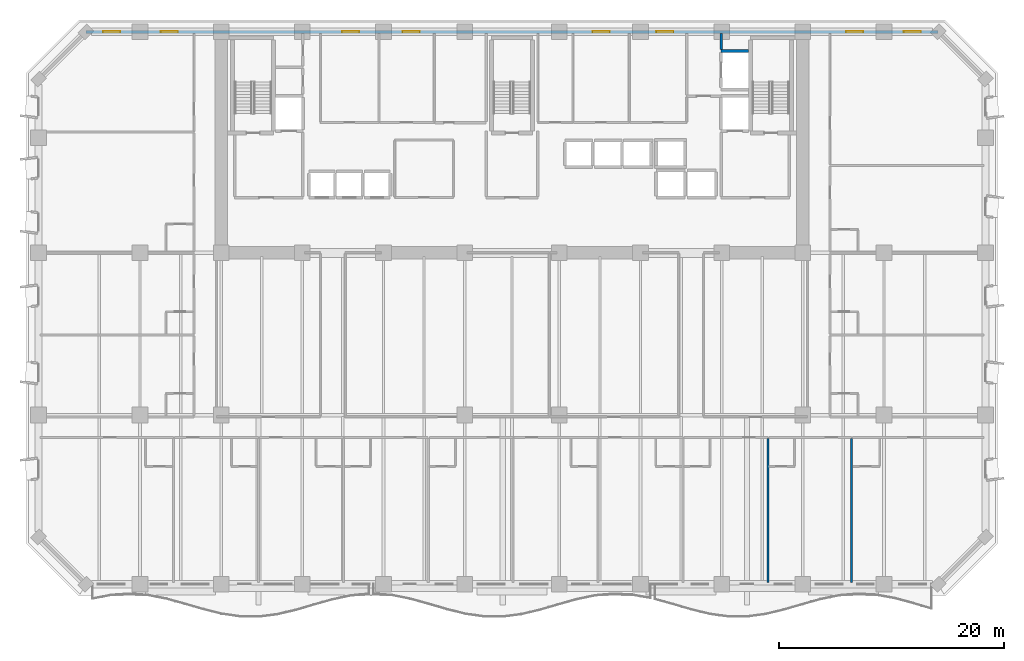
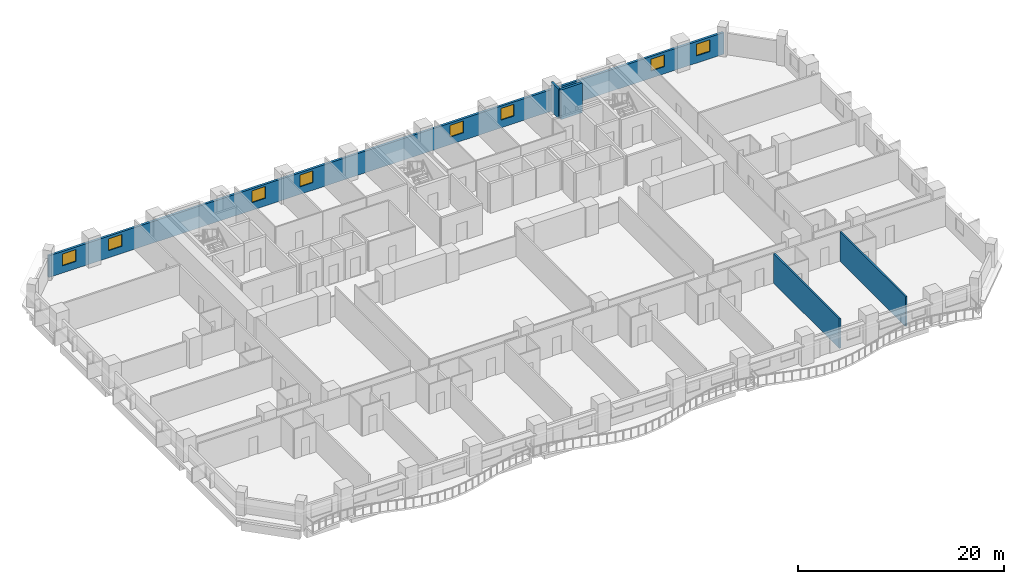
# One storey, part 9 of 15: 8 windows, 5 walls, 8 openings.
"""IFC4 building model written with IfcOpenShell, lengths in metres."""

from ifc_helpers import new_model, si_unit, direction, frame, frame_2d, origin, place, context, subcontext, project, spatial, rectangle, extrude, material, layer, layer_set, type_object, element, fill, save


model = new_model("IFC4")

# Units and contexts
model_context = context("Model", 3, precision=1e-05, world=origin(), true_north=direction((0.0, 1.0)))
body_context = subcontext(model_context, "Body", "Model", "MODEL_VIEW")
ifc_project = project(units=[si_unit("LENGTHUNIT", "METRE"), si_unit("AREAUNIT", "SQUARE_METRE"), si_unit("VOLUMEUNIT", "CUBIC_METRE"), si_unit("PLANEANGLEUNIT", "RADIAN"), si_unit("MASSUNIT", "GRAM", prefix="KILO")], contexts=[model_context])

# Site, building, storey
site_placement = place(None, origin())
site = spatial("IfcSite", under=ifc_project, at=site_placement, CompositionType="ELEMENT")
building_placement = place(site_placement, origin())
building = spatial("IfcBuilding", under=site, at=building_placement, Name="Kaelvorn Grand Hotel", CompositionType="ELEMENT")
storey_placement = place(building_placement, frame((0.0, 0.0, 61.39990234375)))
storey = spatial("IfcBuildingStorey", under=building, at=storey_placement, Name="L13", CompositionType="ELEMENT", Elevation=61.39990234375)

# Wall, openings, windows
ifc_material_1 = material(Name="Concrete C40/50", Category="concrete")
ifc_layer_1 = layer(ifc_material_1, 0.260009765625)
ifc_layer_set_1 = layer_set([ifc_layer_1], Name="Concrete C40/50")
wall_type_1 = type_object("IfcWallType", Name="WL-EXT-260-C40", PredefinedType="SOLIDWALL", material=ifc_layer_set_1)
wall_1_placement = place(storey_placement, frame((79.800048828125, 49.0, 0.0), z_axis=(0.0, 0.0, 1.0), x_axis=(-1.0, 0.0, 0.0)))
wall_1 = element("IfcWall", 1, at=wall_1_placement, inside=storey, type_object=wall_type_1, Name="L13 Exterior Architectural Concrete Wall 05", PredefinedType="SOLIDWALL", context=body_context, shape_type="SweptSolid", body=[
    extrude(rectangle(XDim=75.60009765625, YDim=0.260009765625, at=frame_2d((37.800048828125, 0.0))), origin(), (0.0, 0.0, 1.0), 2.56005859375),
])
opening_1_placement = place(wall_1_placement, frame((72.56494140625, 0.0, 0.85009765625)))
opening_1 = element("IfcOpeningElement", 2, at=opening_1_placement, cuts=wall_1, Name="Opening W10", PredefinedType="OPENING", context=body_context, shape_type="SweptSolid", body=[
    extrude(rectangle(XDim=1.5, YDim=1.39990234375, at=frame_2d((0.75, 0.699951171875))), frame((0.0, 0.14013671875, 0.0), z_axis=(0.0, -1.0, 0.0), x_axis=(1.0, 0.0, 0.0)), (0.0, 0.0, 1.0), 0.280029296875),
])
opening_2_placement = place(wall_1_placement, frame((67.449951171875, 0.0, 0.85009765625)))
opening_2 = element("IfcOpeningElement", 3, at=opening_2_placement, cuts=wall_1, Name="Opening W10", PredefinedType="OPENING", context=body_context, shape_type="SweptSolid", body=[
    extrude(rectangle(XDim=1.5, YDim=1.39990234375, at=frame_2d((0.75, 0.699951171875))), frame((0.0, 0.14013671875, 0.0), z_axis=(0.0, -1.0, 0.0), x_axis=(1.0, 0.0, 0.0)), (0.0, 0.0, 1.0), 0.280029296875),
])
opening_3_placement = place(wall_1_placement, frame((6.64990234375, 0.0, 0.85009765625)))
opening_3 = element("IfcOpeningElement", 4, at=opening_3_placement, cuts=wall_1, Name="Opening W10", PredefinedType="OPENING", context=body_context, shape_type="SweptSolid", body=[
    extrude(rectangle(XDim=1.5, YDim=1.39990234375, at=frame_2d((0.75, 0.699951171875))), frame((0.0, 0.14013671875, 0.0), z_axis=(0.0, -1.0, 0.0), x_axis=(1.0, 0.0, 0.0)), (0.0, 0.0, 1.0), 0.280029296875),
])
opening_4_placement = place(wall_1_placement, frame((1.534912109375, 0.0, 0.85009765625)))
opening_4 = element("IfcOpeningElement", 5, at=opening_4_placement, cuts=wall_1, Name="Opening W10", PredefinedType="OPENING", context=body_context, shape_type="SweptSolid", body=[
    extrude(rectangle(XDim=1.5, YDim=1.39990234375, at=frame_2d((0.75, 0.699951171875))), frame((0.0, 0.14013671875, 0.0), z_axis=(0.0, -1.0, 0.0), x_axis=(1.0, 0.0, 0.0)), (0.0, 0.0, 1.0), 0.280029296875),
])
opening_5_placement = place(wall_1_placement, frame((51.364990234375, 0.0, 0.89990234375)))
opening_5 = element("IfcOpeningElement", 6, at=opening_5_placement, cuts=wall_1, Name="Opening W10", PredefinedType="OPENING", context=body_context, shape_type="SweptSolid", body=[
    extrude(rectangle(XDim=1.5, YDim=1.39990234375, at=frame_2d((0.75, 0.699951171875))), frame((0.0, 0.14013671875, 0.0), z_axis=(0.0, -1.0, 0.0), x_axis=(1.0, 0.0, 0.0)), (0.0, 0.0, 1.0), 0.280029296875),
])
opening_6_placement = place(wall_1_placement, frame((46.0, 0.0, 0.89990234375)))
opening_6 = element("IfcOpeningElement", 7, at=opening_6_placement, cuts=wall_1, Name="Opening W10", PredefinedType="OPENING", context=body_context, shape_type="SweptSolid", body=[
    extrude(rectangle(XDim=1.5, YDim=1.39990234375, at=frame_2d((0.75, 0.699951171875))), frame((0.0, 0.14013671875, 0.0), z_axis=(0.0, -1.0, 0.0), x_axis=(1.0, 0.0, 0.0)), (0.0, 0.0, 1.0), 0.280029296875),
])
opening_7_placement = place(wall_1_placement, frame((29.14990234375, 0.0, 0.89990234375)))
opening_7 = element("IfcOpeningElement", 8, at=opening_7_placement, cuts=wall_1, Name="Opening W10", PredefinedType="OPENING", context=body_context, shape_type="SweptSolid", body=[
    extrude(rectangle(XDim=1.5, YDim=1.39990234375, at=frame_2d((0.75, 0.699951171875))), frame((0.0, 0.14013671875, 0.0), z_axis=(0.0, -1.0, 0.0), x_axis=(1.0, 0.0, 0.0)), (0.0, 0.0, 1.0), 0.280029296875),
])
opening_8_placement = place(wall_1_placement, frame((23.485107421875, 0.0, 0.89990234375)))
opening_8 = element("IfcOpeningElement", 9, at=opening_8_placement, cuts=wall_1, Name="Opening W10", PredefinedType="OPENING", context=body_context, shape_type="SweptSolid", body=[
    extrude(rectangle(XDim=1.5, YDim=1.39990234375, at=frame_2d((0.75, 0.699951171875))), frame((0.0, 0.14013671875, 0.0), z_axis=(0.0, -1.0, 0.0), x_axis=(1.0, 0.0, 0.0)), (0.0, 0.0, 1.0), 0.280029296875),
])
ifc_material_2 = material(Name="Laminated Low-E Glass", Category="glass")
window_type = type_object("IfcWindowType", Name="WIN-COR-1500x1400", PartitioningType="SINGLE_PANEL", PredefinedType="WINDOW", material=ifc_material_2)
window_1_placement = place(opening_1_placement, origin())
window_1 = element("IfcWindow", 10, at=window_1_placement, inside=storey, type_object=window_type, Name="L13 North Wing Ribbon Window NW01", OverallHeight=1.39990234375, OverallWidth=1.5, PartitioningType="SINGLE_PANEL", PredefinedType="WINDOW", context=body_context, shape_type="SweptSolid", body=[
    extrude(rectangle(XDim=1.5, YDim=1.39990234375, at=frame_2d((0.75, 0.699951171875))), frame((0.0, 0.030029296875, 0.0), z_axis=(0.0, -1.0, 0.0), x_axis=(1.0, 0.0, 0.0)), (0.0, 0.0, 1.0), 0.06005859375),
])
fill(opening_1, window_1)
window_2_placement = place(opening_2_placement, origin())
window_2 = element("IfcWindow", 11, at=window_2_placement, inside=storey, type_object=window_type, Name="L13 North Wing Ribbon Window NW02", OverallHeight=1.39990234375, OverallWidth=1.5, PartitioningType="SINGLE_PANEL", PredefinedType="WINDOW", context=body_context, shape_type="SweptSolid", body=[
    extrude(rectangle(XDim=1.5, YDim=1.39990234375, at=frame_2d((0.75, 0.699951171875))), frame((0.0, 0.030029296875, 0.0), z_axis=(0.0, -1.0, 0.0), x_axis=(1.0, 0.0, 0.0)), (0.0, 0.0, 1.0), 0.06005859375),
])
fill(opening_2, window_2)
window_3_placement = place(opening_3_placement, origin())
window_3 = element("IfcWindow", 12, at=window_3_placement, inside=storey, type_object=window_type, Name="L13 North Wing Ribbon Window NW03", OverallHeight=1.39990234375, OverallWidth=1.5, PartitioningType="SINGLE_PANEL", PredefinedType="WINDOW", context=body_context, shape_type="SweptSolid", body=[
    extrude(rectangle(XDim=1.5, YDim=1.39990234375, at=frame_2d((0.75, 0.699951171875))), frame((0.0, 0.030029296875, 0.0), z_axis=(0.0, -1.0, 0.0), x_axis=(1.0, 0.0, 0.0)), (0.0, 0.0, 1.0), 0.06005859375),
])
fill(opening_3, window_3)
window_4_placement = place(opening_4_placement, origin())
window_4 = element("IfcWindow", 13, at=window_4_placement, inside=storey, type_object=window_type, Name="L13 North Wing Ribbon Window NW04", OverallHeight=1.39990234375, OverallWidth=1.5, PartitioningType="SINGLE_PANEL", PredefinedType="WINDOW", context=body_context, shape_type="SweptSolid", body=[
    extrude(rectangle(XDim=1.5, YDim=1.39990234375, at=frame_2d((0.75, 0.699951171875))), frame((0.0, 0.030029296875, 0.0), z_axis=(0.0, -1.0, 0.0), x_axis=(1.0, 0.0, 0.0)), (0.0, 0.0, 1.0), 0.06005859375),
])
fill(opening_4, window_4)
window_5_placement = place(opening_5_placement, origin())
window_5 = element("IfcWindow", 14, at=window_5_placement, inside=storey, type_object=window_type, Name="L13 North Core Clerestory Ribbon Window NC05", OverallHeight=1.39990234375, OverallWidth=1.5, PartitioningType="SINGLE_PANEL", PredefinedType="WINDOW", context=body_context, shape_type="SweptSolid", body=[
    extrude(rectangle(XDim=1.5, YDim=1.39990234375, at=frame_2d((0.75, 0.699951171875))), frame((0.0, 0.030029296875, 0.0), z_axis=(0.0, -1.0, 0.0), x_axis=(1.0, 0.0, 0.0)), (0.0, 0.0, 1.0), 0.06005859375),
])
fill(opening_5, window_5)
window_6_placement = place(opening_6_placement, origin())
window_6 = element("IfcWindow", 15, at=window_6_placement, inside=storey, type_object=window_type, Name="L13 North Core Clerestory Ribbon Window NC06", OverallHeight=1.39990234375, OverallWidth=1.5, PartitioningType="SINGLE_PANEL", PredefinedType="WINDOW", context=body_context, shape_type="SweptSolid", body=[
    extrude(rectangle(XDim=1.5, YDim=1.39990234375, at=frame_2d((0.75, 0.699951171875))), frame((0.0, 0.030029296875, 0.0), z_axis=(0.0, -1.0, 0.0), x_axis=(1.0, 0.0, 0.0)), (0.0, 0.0, 1.0), 0.06005859375),
])
fill(opening_6, window_6)
window_7_placement = place(opening_7_placement, origin())
window_7 = element("IfcWindow", 16, at=window_7_placement, inside=storey, type_object=window_type, Name="L13 North Core Clerestory Ribbon Window NC07", OverallHeight=1.39990234375, OverallWidth=1.5, PartitioningType="SINGLE_PANEL", PredefinedType="WINDOW", context=body_context, shape_type="SweptSolid", body=[
    extrude(rectangle(XDim=1.5, YDim=1.39990234375, at=frame_2d((0.75, 0.699951171875))), frame((0.0, 0.030029296875, 0.0), z_axis=(0.0, -1.0, 0.0), x_axis=(1.0, 0.0, 0.0)), (0.0, 0.0, 1.0), 0.06005859375),
])
fill(opening_7, window_7)
window_8_placement = place(opening_8_placement, origin())
window_8 = element("IfcWindow", 17, at=window_8_placement, inside=storey, type_object=window_type, Name="L13 North Core Clerestory Ribbon Window NC08", OverallHeight=1.39990234375, OverallWidth=1.5, PartitioningType="SINGLE_PANEL", PredefinedType="WINDOW", context=body_context, shape_type="SweptSolid", body=[
    extrude(rectangle(XDim=1.5, YDim=1.39990234375, at=frame_2d((0.75, 0.699951171875))), frame((0.0, 0.030029296875, 0.0), z_axis=(0.0, -1.0, 0.0), x_axis=(1.0, 0.0, 0.0)), (0.0, 0.0, 1.0), 0.06005859375),
])
fill(opening_8, window_8)

# Walls
ifc_material_3 = material(Name="Acoustic Gypsum & Stud Partition")
ifc_layer_2 = layer(ifc_material_3, 0.179931640625)
ifc_layer_set_2 = layer_set([ifc_layer_2], Name="Acoustic Gypsum & Stud Partition")
wall_type_2 = type_object("IfcWallType", Name="WL-PART-180-EI60", PredefinedType="PARTITIONING", material=ifc_layer_set_2)
for number, where, z_axis, x_axis, name in (
    (18, (64.690673828125, 0.14990234375, 0.0), (0.0, 0.0, 1.0), (0.0, 1.0, 0.0), "L13 Deluxe Panoramic Suite L13-08 E Partition"),
    (19, (72.120361328125, 0.14990234375, 0.0), (0.0, 0.0, 1.0), (0.0, 1.0, 0.0), "L13 Deluxe Panoramic Suite L13-09 E Partition"),
):
    element("IfcWall", number, at=place(storey_placement, frame(where, z_axis=z_axis, x_axis=x_axis)), inside=storey, type_object=wall_type_2, Name=name, PredefinedType="PARTITIONING", context=body_context, shape_type="SweptSolid", body=[
        extrude(rectangle(XDim=12.755126953125, YDim=0.179931640625, at=frame_2d((6.37744140625, 0.0))), origin(), (0.0, 0.0, 1.0), 3.510009765625),
    ])
ifc_layer_3 = layer(ifc_material_1, 0.219970703125)
ifc_layer_set_3 = layer_set([ifc_layer_3], Name="Concrete C40/50")
wall_type_3 = type_object("IfcWallType", Name="WL-PART-220-EI120", PredefinedType="PARTITIONING", material=ifc_layer_set_3)
wall_2_placement = place(storey_placement, frame((60.550048828125, 47.445068359375, 0.0), z_axis=(0.0, 0.0, 1.0), x_axis=(0.0, 1.0, 0.0)))
element("IfcWall", 20, at=wall_2_placement, inside=storey, type_object=wall_type_3, Name="L13 Service Lift Lobby E Partition", PredefinedType="PARTITIONING", context=body_context, shape_type="SweptSolid", body=[
    extrude(rectangle(XDim=1.405029296875, YDim=0.219970703125, at=frame_2d((0.70263671875, 0.0))), origin(), (0.0, 0.0, 1.0), 3.510009765625),
])
ifc_material_4 = material(Name="Concrete C50/60", Category="concrete")
ifc_layer_4 = layer(ifc_material_4, 0.280029296875)
ifc_layer_set_4 = layer_set([ifc_layer_4], Name="Concrete C50/60")
wall_type_4 = type_object("IfcWallType", Name="WL-SHAFT-280-C50", PredefinedType="SHEAR", material=ifc_layer_set_4)
wall_3_placement = place(storey_placement, frame((60.550048828125, 47.300048828125, 0.0), z_axis=(0.0, 0.0, 1.0), x_axis=(1.0, 0.0, 0.0)))
element("IfcWall", 21, at=wall_3_placement, inside=storey, type_object=wall_type_4, Name="L13 Lift SV1 Shaft North Wall", PredefinedType="SHEAR", context=body_context, shape_type="SweptSolid", body=[
    extrude(rectangle(XDim=2.4150390625, YDim=0.280029296875, at=frame_2d((1.20751953125, 0.0))), origin(), (0.0, 0.0, 1.0), 3.510009765625),
])

save(model, "model.ifc")
